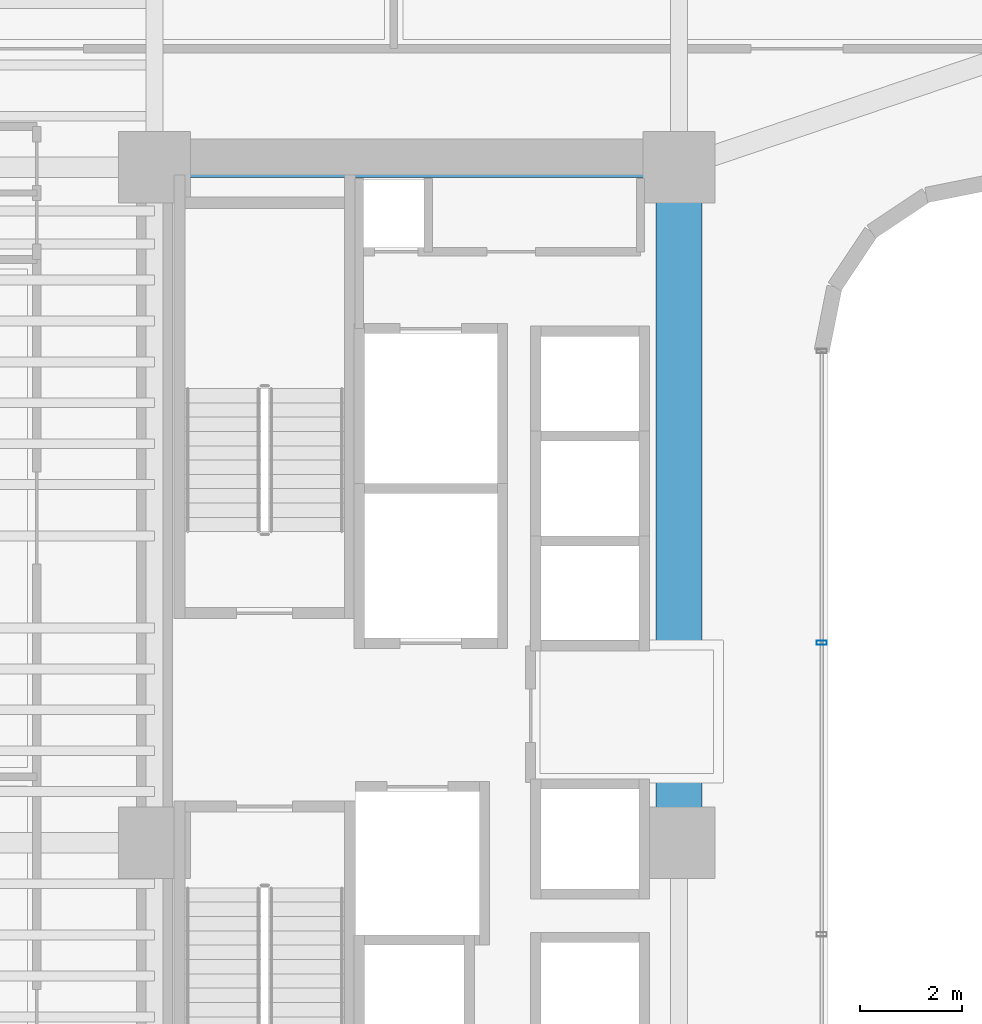
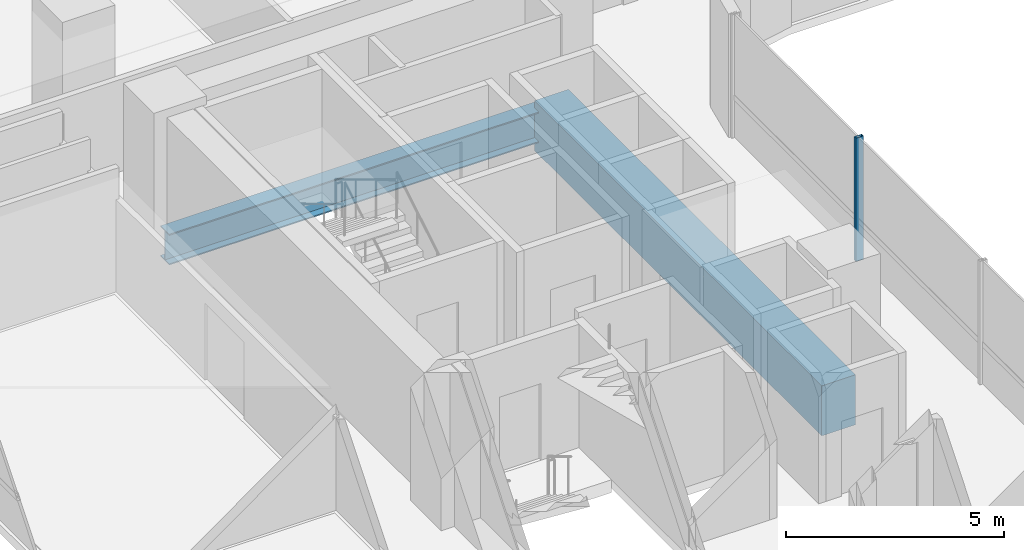
# One storey, part 11 of 40: 2 beams, 1 member, 1 element without a shape of its own.
"""IFC4 building model written with IfcOpenShell, lengths in metres."""

from ifc_helpers import new_model, si_unit, direction, frame, origin, origin_2d, place, context, subcontext, project, spatial, rectangle, hollow_rectangle, i_section, extrude, source, transform, mapped, material, material_profile, profile_set, type_object, element, aggregate, save


model = new_model("IFC4")

# Units and contexts
model_context = context("Model", 3, precision=1e-05, world=origin(), true_north=direction((0.0, 1.0)))
body_context = subcontext(model_context, "Body", "Model", "MODEL_VIEW")
ifc_project = project(units=[si_unit("LENGTHUNIT", "METRE"), si_unit("AREAUNIT", "SQUARE_METRE"), si_unit("VOLUMEUNIT", "CUBIC_METRE"), si_unit("PLANEANGLEUNIT", "RADIAN"), si_unit("MASSUNIT", "GRAM", prefix="KILO")], contexts=[model_context])

# Site, building, storey
site_placement = place(None, origin())
site = spatial("IfcSite", under=ifc_project, at=site_placement, CompositionType="ELEMENT")
building_placement = place(site_placement, origin())
building = spatial("IfcBuilding", under=site, at=building_placement, Name="Valdorenza Pilgrim Sanctuary Tower", CompositionType="ELEMENT")
storey_placement = place(building_placement, frame((0.0, 0.0, 66.699951171875)))
storey = spatial("IfcBuildingStorey", under=building, at=storey_placement, Name="L16", CompositionType="ELEMENT", Elevation=66.699951171875)

# Beams
ifc_material_1 = material(Name="Concrete C60/75", Category="concrete")
ifc_material_profile_1 = material_profile(ifc_material_1, rectangle(XDim=0.89990234375, YDim=1.39990234375, at=origin_2d()), Name="RC 1400x900")
ifc_profile_set_1 = profile_set([ifc_material_profile_1], Name="Concrete C60/75")
beam_type_1 = type_object("IfcBeamType", Name="STR-BM-LNT-1400", PredefinedType="LINTEL", material=ifc_profile_set_1)
shared_shape_1 = source(origin(), body_context, "Body", "SweptSolid", [
    extrude(rectangle(XDim=0.89990234375, YDim=1.39990234375, at=origin_2d()), origin(), (0.0, 0.0, 1.0), 13.2001953125),
])
beam_1_placement = place(storey_placement, frame((-12.39990234375, -2.60009765625, -0.739990234375), z_axis=(0.0, 1.0, 0.0), x_axis=(-1.0, 0.0, 0.0)))
element("IfcBeam", 1, at=beam_1_placement, inside=storey, type_object=beam_type_1, Name="L16 Core A Coupling Lintel Girder", PredefinedType="LINTEL", context=body_context, shape_type="MappedRepresentation", body=[
    mapped(shared_shape_1, transform((0.0, 0.0, 0.0), x_axis=(1.0, 0.0, 0.0), y_axis=(0.0, 1.0, 0.0), z_axis=(0.0, 0.0, 1.0), scale=1.0)),
])
ifc_material_2 = material(Name="Steel ASTM A992 Grade 50", Category="steel")
ifc_material_profile_2 = material_profile(ifc_material_2, i_section(OverallWidth=0.39990234375, OverallDepth=0.862060546875, WebThickness=0.019775390625, FlangeThickness=0.032470703125, at=origin_2d()), Name="W33X221")
ifc_profile_set_2 = profile_set([ifc_material_profile_2], Name="Steel ASTM A992 Grade 50")
beam_type_2 = type_object("IfcBeamType", Name="STR-BM-GRD-W33", PredefinedType="BEAM", material=ifc_profile_set_2)
shared_shape_2 = source(origin(), body_context, "Body", "SweptSolid", [
    extrude(i_section(OverallWidth=0.39990234375, OverallDepth=0.862060546875, WebThickness=0.019775390625, FlangeThickness=0.032470703125, at=origin_2d()), origin(), (0.0, 0.0, 1.0), 10.25),
])
beam_2_placement = place(storey_placement, frame((-22.64990234375, 10.60009765625, -0.6708984375), z_axis=(1.0, 0.0, 0.0), x_axis=(0.0, 1.0, 0.0)))
element("IfcBeam", 2, at=beam_2_placement, inside=storey, type_object=beam_type_2, Name="L16 Floor Girder CA-XC-N1", PredefinedType="BEAM", context=body_context, shape_type="MappedRepresentation", body=[
    mapped(shared_shape_2, transform((0.0, 0.0, 0.0), x_axis=(1.0, 0.0, 0.0), y_axis=(0.0, 1.0, 0.0), z_axis=(0.0, 0.0, 1.0), scale=1.0)),
])

# Curtain wall, member
ifc_material_3 = material(Name="Curtain-wall IGU glazing", Category="glass")
curtain_wall_type = type_object("IfcCurtainWallType", Name="CW-SYS-02", PredefinedType="NOTDEFINED", material=ifc_material_3)
curtain_wall_placement = place(storey_placement, origin())
curtain_wall = element("IfcCurtainWall", 3, at=curtain_wall_placement, inside=storey, type_object=curtain_wall_type, Name="L16 Curtain Wall CW-L16-1-41", PredefinedType="NOTDEFINED")
ifc_material_4 = material(Name="Anodised aluminium AW-6060", Category="aluminium")
ifc_material_profile_3 = material_profile(ifc_material_4, hollow_rectangle(XDim=0.0849609375, YDim=0.199951171875, WallThickness=0.0048828125, at=origin_2d()), Name="ALU-M 200x85x5")
ifc_profile_set_3 = profile_set([ifc_material_profile_3], Name="Anodised aluminium AW-6060")
member_type = type_object("IfcMemberType", Name="CW-MUL-02", PredefinedType="MULLION", material=ifc_profile_set_3)
shared_shape_3 = source(origin(), body_context, "Body", "SweptSolid", [
    extrude(hollow_rectangle(XDim=0.0849609375, YDim=0.199951171875, WallThickness=0.0048828125, at=origin_2d()), origin(), (0.0, 0.0, 1.0), 3.4599609375),
])
member_placement = place(storey_placement, frame((-9.610107421875, 1.310791015625, 0.0), z_axis=(0.0, 0.0, 1.0), x_axis=(0.0, -1.0, 0.0)))
member = element("IfcMember", 4, at=member_placement, type_object=member_type, Name="CW-L16-1-41 Mullion 2", PredefinedType="MULLION", context=body_context, shape_type="MappedRepresentation", body=[
    mapped(shared_shape_3, transform((0.0, 0.0, 0.0), x_axis=(1.0, 0.0, 0.0), y_axis=(0.0, 1.0, 0.0), z_axis=(0.0, 0.0, 1.0), scale=1.0)),
])
aggregate(curtain_wall, [member])

save(model, "model.ifc")
